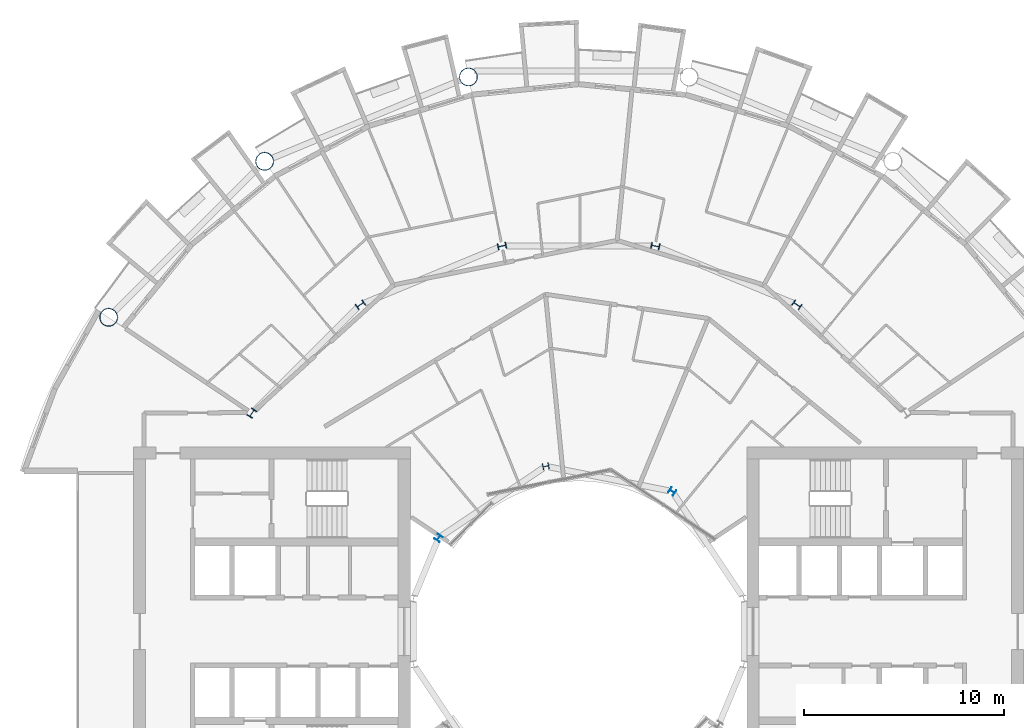
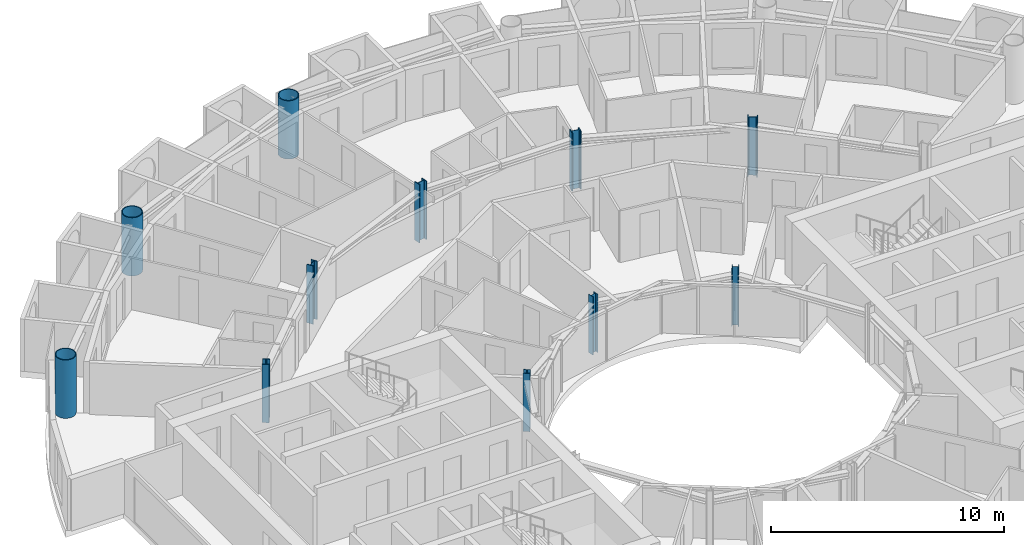
# One storey, part 3 of 28: 11 columns.
"""IFC4 building model written with IfcOpenShell, lengths in metres."""

from ifc_helpers import new_model, si_unit, direction, frame, origin, origin_2d, place, context, subcontext, project, spatial, hollow_circle, i_section, extrude, material, material_profile, profile_set, type_object, element, save


model = new_model("IFC4")

# Units and contexts
model_context = context("Model", 3, precision=1e-05, world=origin(), true_north=direction((0.0, 1.0)))
body_context = subcontext(model_context, "Body", "Model", "MODEL_VIEW")
ifc_project = project(units=[si_unit("LENGTHUNIT", "METRE"), si_unit("AREAUNIT", "SQUARE_METRE"), si_unit("VOLUMEUNIT", "CUBIC_METRE"), si_unit("PLANEANGLEUNIT", "RADIAN"), si_unit("MASSUNIT", "GRAM", prefix="KILO")], contexts=[model_context])

# Site, building, storey
site_placement = place(None, origin())
site = spatial("IfcSite", under=ifc_project, at=site_placement, CompositionType="ELEMENT")
building_placement = place(site_placement, origin())
building = spatial("IfcBuilding", under=site, at=building_placement, Name="Maasbend Ring Residences", CompositionType="ELEMENT")
storey_placement = place(building_placement, frame((0.0, 0.0, 133.0)))
storey = spatial("IfcBuildingStorey", under=building, at=storey_placement, Name="L38", CompositionType="ELEMENT", Elevation=133.0)

# Columns
ifc_material_1 = material(Name="Composite concrete-filled steel tube S460NH / C80/95", Category="concrete")
ifc_material_profile_1 = material_profile(ifc_material_1, hollow_circle(Radius=0.45703125, WallThickness=0.0400390625, at=origin_2d()), Name="Composite tube column CHS 914x40")
ifc_profile_set_1 = profile_set([ifc_material_profile_1], Name="Composite concrete-filled steel tube S460NH / C80/95")
column_type_1 = type_object("IfcColumnType", Name="Composite tube column CHS 914x40", PredefinedType="COLUMN", material=ifc_profile_set_1)
for number, where, z_axis, x_axis, name in (
    (1, (-5.50146484375, 27.658203125, 0.0), (0.0, 0.0, 1.0), (1.0, 0.0, 0.0), "Outer column R5"),
    (2, (-15.6669921875, 23.447509765625, 0.0), (0.0, 0.0, 1.0), (1.0, 0.0, 0.0), "Outer column R6"),
    (3, (-23.447509765625, 15.6669921875, 0.0), (0.0, 0.0, 1.0), (1.0, 0.0, 0.0), "Outer column R7"),
):
    element("IfcColumn", number, at=place(storey_placement, frame(where, z_axis=z_axis, x_axis=x_axis)), inside=storey, type_object=column_type_1, Name=name, PredefinedType="COLUMN", context=body_context, shape_type="SweptSolid", body=[
        extrude(hollow_circle(Radius=0.45703125, WallThickness=0.0400390625, at=origin_2d()), origin(), (0.0, 0.0, 1.0), 3.050048828125),
    ])
ifc_material_2 = material(Name="Steel S355J2", Category="steel")
ifc_material_profile_2 = material_profile(ifc_material_2, i_section(OverallWidth=0.300048828125, OverallDepth=0.300048828125, WebThickness=0.010986328125, FlangeThickness=0.01904296875, FilletRadius=0.027099609375, at=origin_2d()), Name="HEB 300")
ifc_profile_set_2 = profile_set([ifc_material_profile_2], Name="Steel S355J2")
column_type_2 = type_object("IfcColumnType", Name="Steel column HEB 300", PredefinedType="COLUMN", material=ifc_profile_set_2)
for number, where, z_axis, x_axis, name in (
    (4, (4.666748046875, 6.984375, 0.0), (0.0, 0.0, 1.0), (0.55557023302, 0.831469612303, 0.0), "Well ring column R3"),
    (5, (-1.638916015625, 8.238525390625, 0.0), (0.0, 0.0, 1.0), (-0.195090322016, 0.980785280403, 0.0), "Well ring column R5"),
    (6, (-6.984375, 4.666748046875, 0.0), (0.0, 0.0, 1.0), (-0.831469612303, 0.55557023302, 0.0), "Well ring column R7"),
):
    element("IfcColumn", number, at=place(storey_placement, frame(where, z_axis=z_axis, x_axis=x_axis)), inside=storey, type_object=column_type_2, Name=name, PredefinedType="COLUMN", context=body_context, shape_type="SweptSolid", body=[
        extrude(i_section(OverallWidth=0.300048828125, OverallDepth=0.300048828125, WebThickness=0.010986328125, FlangeThickness=0.01904296875, FilletRadius=0.027099609375, at=origin_2d()), origin(), (0.0, 0.0, 1.0), 3.050048828125),
    ])
ifc_material_3 = material(Name="Steel S460M", Category="steel")
ifc_material_profile_3 = material_profile(ifc_material_3, i_section(OverallWidth=0.306884765625, OverallDepth=0.431884765625, WebThickness=0.02099609375, FlangeThickness=0.0400390625, FilletRadius=0.027099609375, at=origin_2d()), Name="HEM 400")
ifc_profile_set_3 = profile_set([ifc_material_profile_3], Name="Steel S460M")
column_type_3 = type_object("IfcColumnType", Name="Steel column HEM 400", PredefinedType="COLUMN", material=ifc_profile_set_3)
for number, where, z_axis, x_axis, name in (
    (7, (10.88916015625, 16.296875, 0.0), (0.0, 0.0, 1.0), (0.55557023302, 0.831469612303, 0.0), "Corridor ring column R3"),
    (8, (3.82373046875, 19.223388671875, 0.0), (0.0, 0.0, 1.0), (0.195090322016, 0.980785280403, 0.0), "Corridor ring column R4"),
    (9, (-3.82373046875, 19.223388671875, 0.0), (0.0, 0.0, 1.0), (-0.195090322016, 0.980785280403, 0.0), "Corridor ring column R5"),
    (10, (-10.88916015625, 16.296875, 0.0), (0.0, 0.0, 1.0), (-0.55557023302, 0.831469612303, 0.0), "Corridor ring column R6"),
    (11, (-16.296875, 10.88916015625, 0.0), (0.0, 0.0, 1.0), (-0.831469612303, 0.55557023302, 0.0), "Corridor ring column R7"),
):
    element("IfcColumn", number, at=place(storey_placement, frame(where, z_axis=z_axis, x_axis=x_axis)), inside=storey, type_object=column_type_3, Name=name, PredefinedType="COLUMN", context=body_context, shape_type="SweptSolid", body=[
        extrude(i_section(OverallWidth=0.306884765625, OverallDepth=0.431884765625, WebThickness=0.02099609375, FlangeThickness=0.0400390625, FilletRadius=0.027099609375, at=origin_2d()), origin(), (0.0, 0.0, 1.0), 3.050048828125),
    ])

save(model, "model.ifc")
